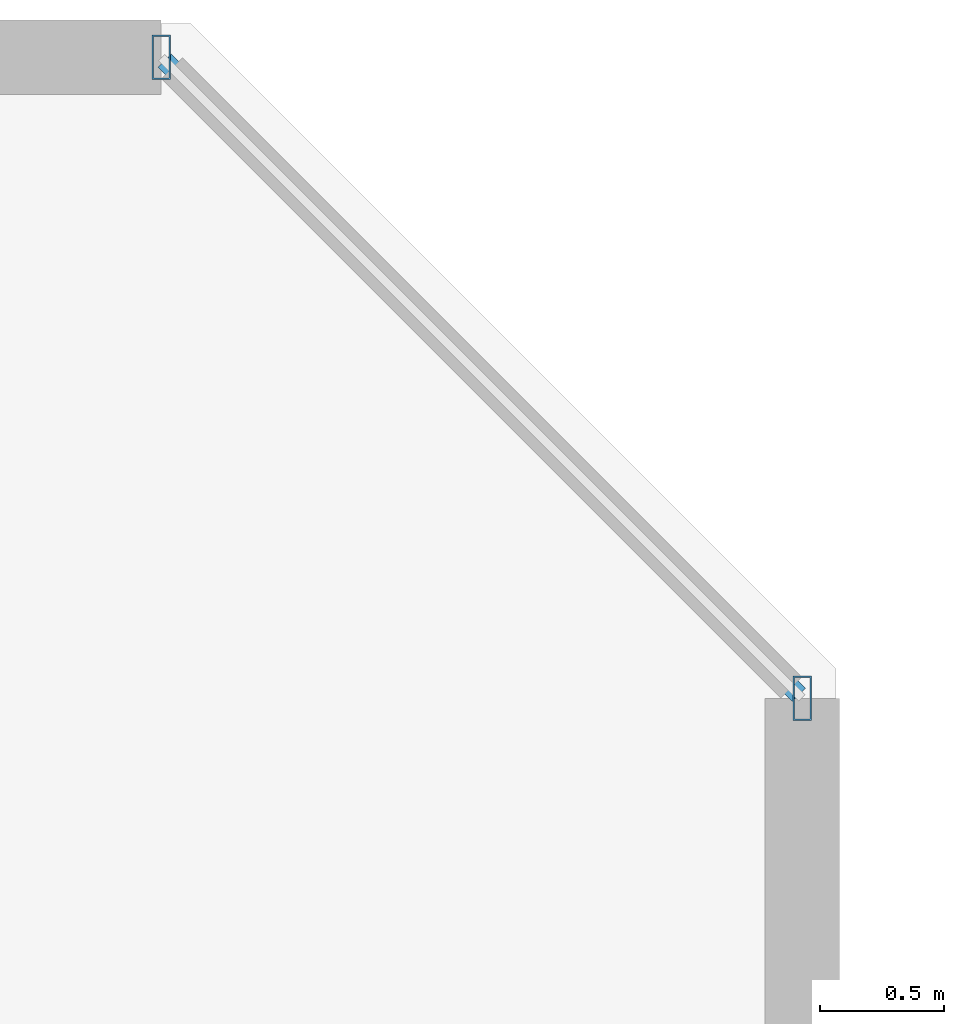
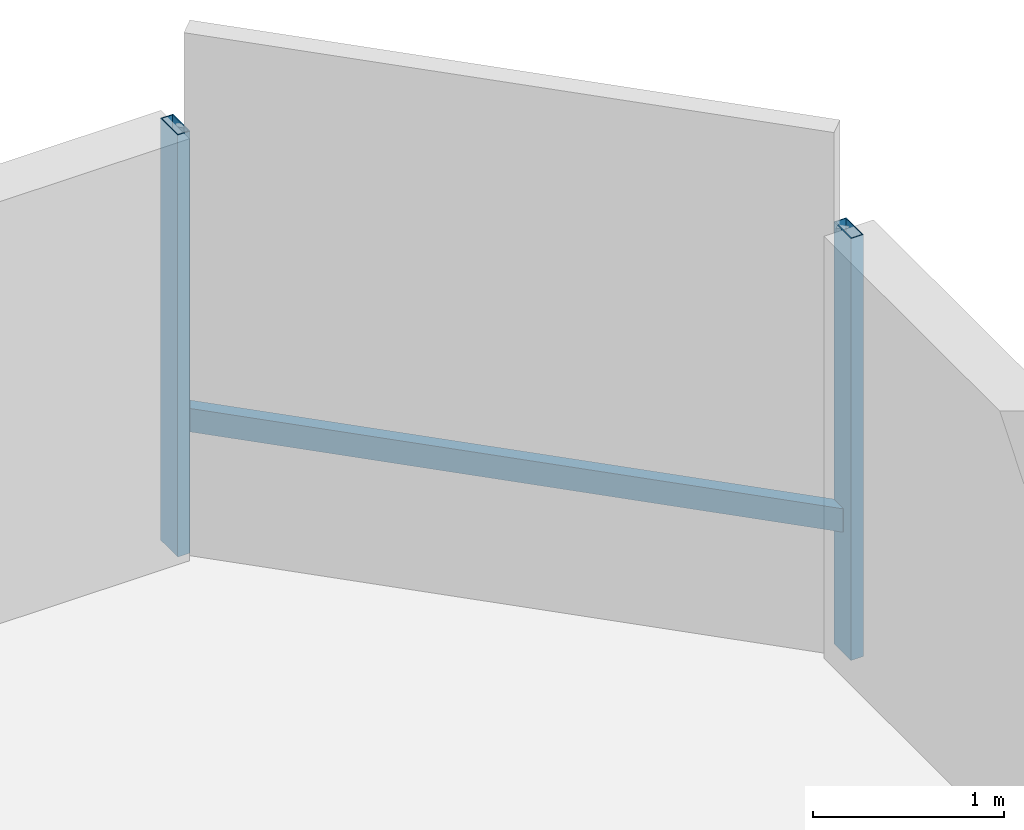
# One storey, part 16 of 32: 3 members, 1 element without a shape of its own.
"""IFC4 building model written with IfcOpenShell, lengths in metres."""

from ifc_helpers import new_model, si_unit, direction, frame, origin, origin_2d, place, context, subcontext, project, spatial, hollow_rectangle, extrude, material, material_profile, profile_set, type_object, element, aggregate, save


model = new_model("IFC4")

# Units and contexts
model_context = context("Model", 3, precision=1e-05, world=origin(), true_north=direction((0.0, 1.0)))
body_context = subcontext(model_context, "Body", "Model", "MODEL_VIEW")
ifc_project = project(units=[si_unit("LENGTHUNIT", "METRE"), si_unit("AREAUNIT", "SQUARE_METRE"), si_unit("VOLUMEUNIT", "CUBIC_METRE"), si_unit("PLANEANGLEUNIT", "RADIAN"), si_unit("MASSUNIT", "GRAM", prefix="KILO")], contexts=[model_context])

# Site, building, storey
site_placement = place(None, origin())
site = spatial("IfcSite", under=ifc_project, at=site_placement, CompositionType="ELEMENT")
building_placement = place(site_placement, origin())
building = spatial("IfcBuilding", under=site, at=building_placement, Name="Thornwick Lancets Civic Towers", CompositionType="ELEMENT")
storey_placement = place(building_placement, frame((0.0, 0.0, 243.89990234375)))
storey = spatial("IfcBuildingStorey", under=building, at=storey_placement, Name="L65", CompositionType="ELEMENT", Elevation=243.89990234375)

# Curtain wall, members
ifc_material_1 = material(Name="High-zone chamfered-corner unitised glass curtain wall", Category="glass")
curtain_wall_type = type_object("IfcCurtainWallType", Name="CW_SYS_05", PredefinedType="NOTDEFINED", material=ifc_material_1)
curtain_wall_placement = place(storey_placement, origin())
curtain_wall = element("IfcCurtainWall", 1, at=curtain_wall_placement, inside=storey, type_object=curtain_wall_type, Name="L65 Curtain Wall CW-L65-B-E3", PredefinedType="NOTDEFINED")
ifc_material_2 = material(Name="Thermally broken bronze aluminium S355", Category="steel")
ifc_material_profile_1 = material_profile(ifc_material_2, hollow_rectangle(XDim=0.074951171875, YDim=0.179931640625, WallThickness=0.006103515625, at=origin_2d()), Name="RHS 180x75x6")
ifc_profile_set_1 = profile_set([ifc_material_profile_1], Name="Thermally broken bronze aluminium S355")
member_type_1 = type_object("IfcMemberType", Name="CW_MUL_180", PredefinedType="MULLION", material=ifc_profile_set_1)
member_1_placement = place(storey_placement, frame((112.2646484375, 42.181396484375, 0.0), z_axis=(0.0, 0.0, 1.0), x_axis=(1.0, 0.0, 0.0)))
member_1 = element("IfcMember", 2, at=member_1_placement, type_object=member_type_1, Name="CW-L65-B-E3 Mullion 0", PredefinedType="MULLION", context=body_context, shape_type="SweptSolid", body=[
    extrude(hollow_rectangle(XDim=0.074951171875, YDim=0.179931640625, WallThickness=0.006103515625, at=origin_2d()), origin(), (0.0, 0.0, 1.0), 2.7001953125),
])
member_2_placement = place(storey_placement, frame((109.681396484375, 44.7646484375, 0.0), z_axis=(0.0, 0.0, 1.0), x_axis=(1.0, 0.0, 0.0)))
member_2 = element("IfcMember", 3, at=member_2_placement, type_object=member_type_1, Name="CW-L65-B-E3 Mullion 1", PredefinedType="MULLION", context=body_context, shape_type="SweptSolid", body=[
    extrude(hollow_rectangle(XDim=0.074951171875, YDim=0.179931640625, WallThickness=0.006103515625, at=origin_2d()), origin(), (0.0, 0.0, 1.0), 2.7001953125),
])
ifc_material_profile_2 = material_profile(ifc_material_2, hollow_rectangle(XDim=0.074951171875, YDim=0.14990234375, WallThickness=0.0048828125, at=origin_2d()), Name="RHS 150x75x5")
ifc_profile_set_2 = profile_set([ifc_material_profile_2], Name="Thermally broken bronze aluminium S355")
member_type_2 = type_object("IfcMemberType", Name="CW_TRN_150", PredefinedType="USERDEFINED", material=ifc_profile_set_2)
member_3_placement = place(storey_placement, frame((112.25048828125, 42.195556640625, 0.85009765625), z_axis=(-0.707106781187, 0.707106781187, 0.0), x_axis=(-0.707106781187, -0.707106781187, 0.0)))
member_3 = element("IfcMember", 4, at=member_3_placement, type_object=member_type_2, Name="CW-L65-B-E3 Transom 0", ObjectType="TRANSOM", PredefinedType="USERDEFINED", context=body_context, shape_type="SweptSolid", body=[
    extrude(hollow_rectangle(XDim=0.074951171875, YDim=0.14990234375, WallThickness=0.0048828125, at=origin_2d()), origin(), (0.0, 0.0, 1.0), 3.61328125),
])
aggregate(curtain_wall, [member_1, member_2, member_3])

save(model, "model.ifc")
